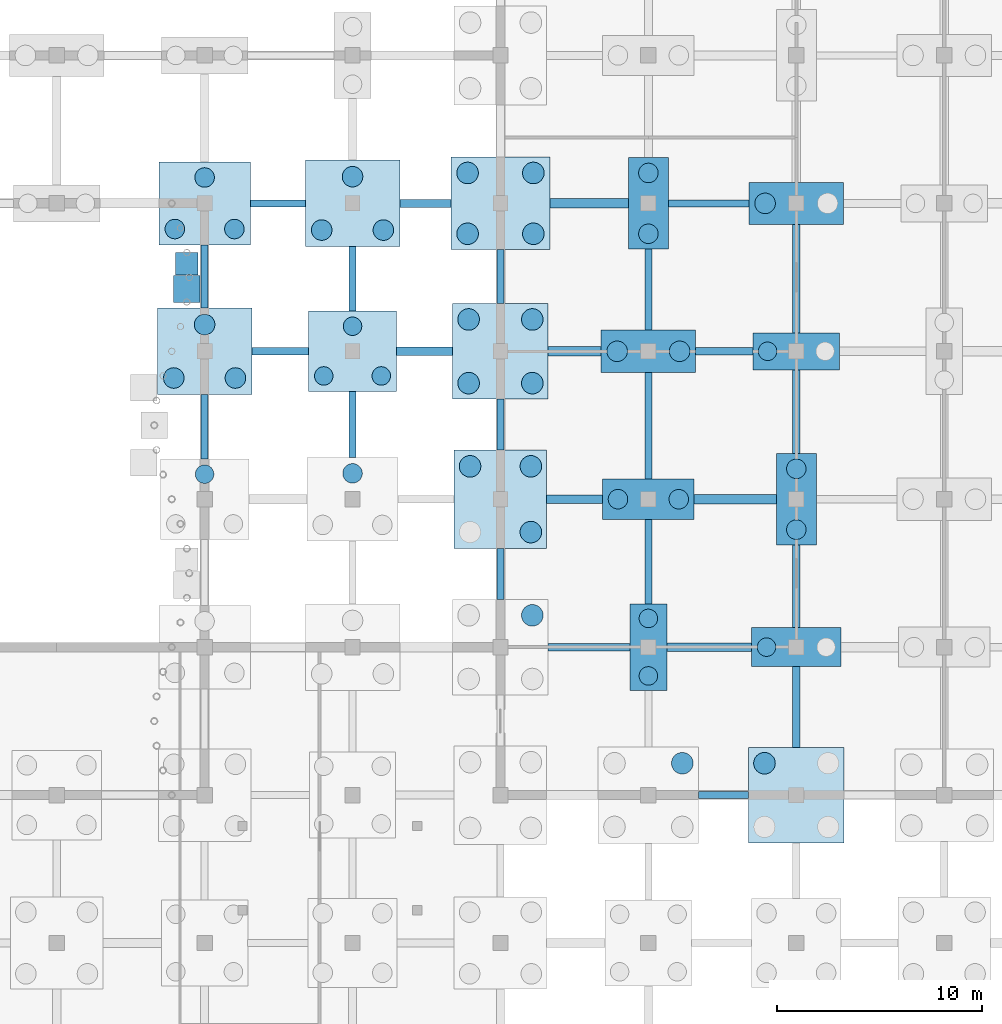
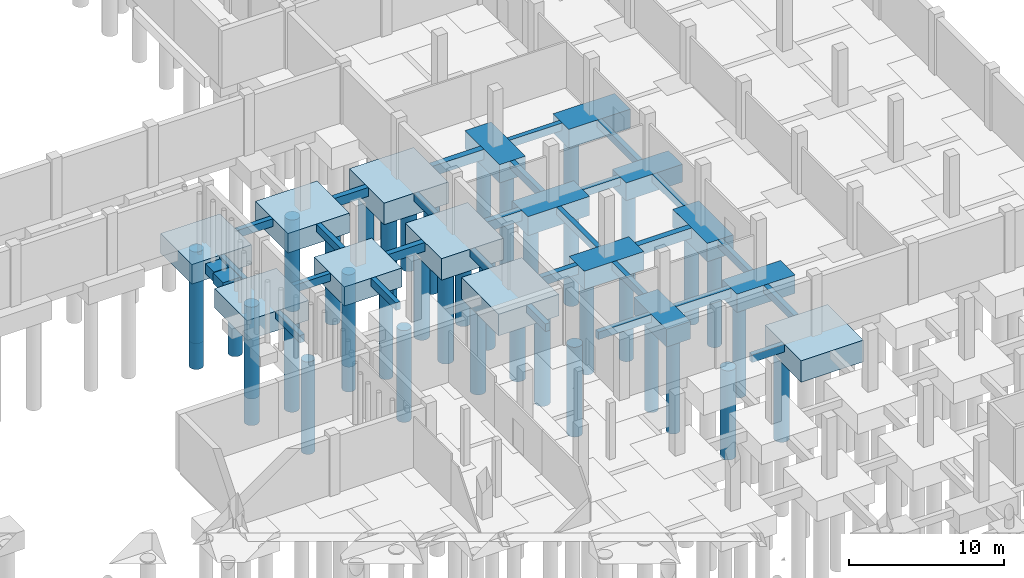
# One storey, part 8 of 35: 45 footings, 41 piles.
"""IFC4 building model written with IfcOpenShell, lengths in metres."""

from ifc_helpers import new_model, si_unit, direction, frame, origin, origin_2d, place, context, subcontext, project, spatial, rectangle, circle, extrude, material, material_profile, profile_set, type_object, element, save


model = new_model("IFC4")

# Units and contexts
model_context = context("Model", 3, precision=1e-05, world=origin(), true_north=direction((0.0, 1.0)))
body_context = subcontext(model_context, "Body", "Model", "MODEL_VIEW")
ifc_project = project(units=[si_unit("LENGTHUNIT", "METRE"), si_unit("AREAUNIT", "SQUARE_METRE"), si_unit("VOLUMEUNIT", "CUBIC_METRE"), si_unit("PLANEANGLEUNIT", "RADIAN"), si_unit("MASSUNIT", "GRAM", prefix="KILO"), si_unit("THERMODYNAMICTEMPERATUREUNIT", "KELVIN"), si_unit("POWERUNIT", "WATT")], contexts=[model_context])

# Site, building, storey
site_placement = place(None, origin())
site = spatial("IfcSite", under=ifc_project, at=site_placement, CompositionType="ELEMENT")
building_placement = place(site_placement, origin())
building = spatial("IfcBuilding", under=site, at=building_placement, Name="Kaldorven Railside Theatre", CompositionType="ELEMENT")
storey_placement = place(building_placement, frame((0.0, 0.0, -4.800048828125)))
storey = spatial("IfcBuildingStorey", under=building, at=storey_placement, Name="B1", CompositionType="ELEMENT", Elevation=-4.800048828125)

# Footings
ifc_material_1 = material(Name="Concrete C40/50", Category="concrete")
ifc_material_profile_1 = material_profile(ifc_material_1, rectangle(XDim=0.449951171875, YDim=0.800048828125, at=origin_2d()), Name="RC 450x800")
ifc_profile_set_1 = profile_set([ifc_material_profile_1], Name="Concrete C40/50")
footing_type_1 = type_object("IfcFootingType", Name="FTG-GB01", PredefinedType="FOOTING_BEAM", material=ifc_profile_set_1)
footing_1_placement = place(storey_placement, frame((96.625, 55.199951171875, -0.39990234375), z_axis=(1.0, 0.0, 0.0), x_axis=(0.0, 1.0, 0.0)))
element("IfcFooting", 1, at=footing_1_placement, inside=storey, type_object=footing_type_1, Name="Foundation Tie Beam GB-222", PredefinedType="FOOTING_BEAM", context=body_context, shape_type="SweptSolid", body=[
    extrude(rectangle(XDim=0.449951171875, YDim=0.800048828125, at=origin_2d()), origin(), (0.0, 0.0, 1.0), 4.0),
])
footing_2_placement = place(storey_placement, frame((89.52490234375, 62.39990234375, -0.39990234375), z_axis=(1.0, 0.0, 0.0), x_axis=(0.0, 1.0, 0.0)))
element("IfcFooting", 2, at=footing_2_placement, inside=storey, type_object=footing_type_1, Name="Foundation Tie Beam GB-246", PredefinedType="FOOTING_BEAM", context=body_context, shape_type="SweptSolid", body=[
    extrude(rectangle(XDim=0.449951171875, YDim=0.800048828125, at=origin_2d()), origin(), (0.0, 0.0, 1.0), 2.5751953125),
])
footing_3_placement = place(storey_placement, frame((89.60009765625, 69.60009765625, -0.39990234375), z_axis=(1.0, 0.0, 0.0), x_axis=(0.0, 1.0, 0.0)))
element("IfcFooting", 3, at=footing_3_placement, inside=storey, type_object=footing_type_1, Name="Foundation Tie Beam GB-279", PredefinedType="FOOTING_BEAM", context=body_context, shape_type="SweptSolid", body=[
    extrude(rectangle(XDim=0.449951171875, YDim=0.800048828125, at=origin_2d()), origin(), (0.0, 0.0, 1.0), 3.824951171875),
])
ifc_material_profile_2 = material_profile(ifc_material_1, rectangle(XDim=0.39990234375, YDim=0.699951171875, at=origin_2d()), Name="RC 400x700")
ifc_profile_set_2 = profile_set([ifc_material_profile_2], Name="Concrete C40/50")
footing_type_2 = type_object("IfcFootingType", Name="FTG-GB02", PredefinedType="FOOTING_BEAM", material=ifc_profile_set_2)
footing_4_placement = place(storey_placement, frame((95.300048828125, 48.0, -0.349853515625), z_axis=(1.0, 0.0, 0.0), x_axis=(0.0, 1.0, 0.0)))
element("IfcFooting", 4, at=footing_4_placement, inside=storey, type_object=footing_type_2, Name="Foundation Tie Beam GB-196", PredefinedType="FOOTING_BEAM", context=body_context, shape_type="SweptSolid", body=[
    extrude(rectangle(XDim=0.39990234375, YDim=0.699951171875, at=origin_2d()), origin(), (0.0, 0.0, 1.0), 4.125),
])
for number, where, z_axis, x_axis, name in (
    (5, (89.449951171875, 55.199951171875, -0.349853515625), (1.0, 0.0, 0.0), (0.0, 1.0, 0.0), "Foundation Tie Beam GB-220"),
    (6, (82.14990234375, 62.39990234375, -0.349853515625), (1.0, 0.0, 0.0), (0.0, 1.0, 0.0), "Foundation Tie Beam GB-244"),
):
    element("IfcFooting", number, at=place(storey_placement, frame(where, z_axis=z_axis, x_axis=x_axis)), inside=storey, type_object=footing_type_2, Name=name, PredefinedType="FOOTING_BEAM", context=body_context, shape_type="SweptSolid", body=[
        extrude(rectangle(XDim=0.39990234375, YDim=0.699951171875, at=origin_2d()), origin(), (0.0, 0.0, 1.0), 2.72509765625),
    ])
footing_5_placement = place(storey_placement, frame((82.300048828125, 69.60009765625, -0.349853515625), z_axis=(1.0, 0.0, 0.0), x_axis=(0.0, 1.0, 0.0)))
element("IfcFooting", 7, at=footing_5_placement, inside=storey, type_object=footing_type_2, Name="Foundation Tie Beam GB-277", PredefinedType="FOOTING_BEAM", context=body_context, shape_type="SweptSolid", body=[
    extrude(rectangle(XDim=0.39990234375, YDim=0.699951171875, at=origin_2d()), origin(), (0.0, 0.0, 1.0), 2.5),
])
ifc_material_profile_3 = material_profile(ifc_material_1, rectangle(XDim=0.35009765625, YDim=0.60009765625, at=origin_2d()), Name="RC 350x600")
ifc_profile_set_3 = profile_set([ifc_material_profile_3], Name="Concrete C40/50")
footing_type_3 = type_object("IfcFootingType", Name="FTG-GB03", PredefinedType="FOOTING_BEAM", material=ifc_profile_set_3)
footing_6_placement = place(storey_placement, frame((96.85009765625, 40.800048828125, -0.300048828125), z_axis=(1.0, 0.0, 0.0), x_axis=(0.0, 1.0, 0.0)))
element("IfcFooting", 8, at=footing_6_placement, inside=storey, type_object=footing_type_3, Name="Foundation Tie Beam GB-170", PredefinedType="FOOTING_BEAM", context=body_context, shape_type="SweptSolid", body=[
    extrude(rectangle(XDim=0.35009765625, YDim=0.60009765625, at=origin_2d()), origin(), (0.0, 0.0, 1.0), 2.4248046875),
])
footing_7_placement = place(storey_placement, frame((101.60009765625, 43.125, -0.300048828125), z_axis=(0.0, 1.0, 0.0), x_axis=(-1.0, 0.0, 0.0)))
element("IfcFooting", 9, at=footing_7_placement, inside=storey, type_object=footing_type_3, Name="Foundation Tie Beam GB-173", PredefinedType="FOOTING_BEAM", context=body_context, shape_type="SweptSolid", body=[
    extrude(rectangle(XDim=0.35009765625, YDim=0.60009765625, at=origin_2d()), origin(), (0.0, 0.0, 1.0), 3.925048828125),
])
footing_8_placement = place(storey_placement, frame((89.52490234375, 48.0, -0.300048828125), z_axis=(1.0, 0.0, 0.0), x_axis=(0.0, 1.0, 0.0)))
element("IfcFooting", 10, at=footing_8_placement, inside=storey, type_object=footing_type_3, Name="Foundation Tie Beam GB-194", PredefinedType="FOOTING_BEAM", context=body_context, shape_type="SweptSolid", body=[
    extrude(rectangle(XDim=0.35009765625, YDim=0.60009765625, at=origin_2d()), origin(), (0.0, 0.0, 1.0), 3.97509765625),
])
footing_9_placement = place(storey_placement, frame((87.199951171875, 50.324951171875, -0.300048828125), z_axis=(0.0, 1.0, 0.0), x_axis=(-1.0, 0.0, 0.0)))
element("IfcFooting", 11, at=footing_9_placement, inside=storey, type_object=footing_type_3, Name="Foundation Tie Beam GB-195", PredefinedType="FOOTING_BEAM", context=body_context, shape_type="SweptSolid", body=[
    extrude(rectangle(XDim=0.35009765625, YDim=0.60009765625, at=origin_2d()), origin(), (0.0, 0.0, 1.0), 2.47509765625),
])
footing_10_placement = place(storey_placement, frame((94.39990234375, 50.10009765625, -0.300048828125), z_axis=(0.0, 1.0, 0.0), x_axis=(-1.0, 0.0, 0.0)))
element("IfcFooting", 12, at=footing_10_placement, inside=storey, type_object=footing_type_3, Name="Foundation Tie Beam GB-197", PredefinedType="FOOTING_BEAM", context=body_context, shape_type="SweptSolid", body=[
    extrude(rectangle(XDim=0.35009765625, YDim=0.60009765625, at=origin_2d()), origin(), (0.0, 0.0, 1.0), 4.125),
])
footing_11_placement = place(storey_placement, frame((101.60009765625, 48.949951171875, -0.300048828125), z_axis=(0.0, 1.0, 0.0), x_axis=(-1.0, 0.0, 0.0)))
element("IfcFooting", 13, at=footing_11_placement, inside=storey, type_object=footing_type_3, Name="Foundation Tie Beam GB-199", PredefinedType="FOOTING_BEAM", context=body_context, shape_type="SweptSolid", body=[
    extrude(rectangle(XDim=0.35009765625, YDim=0.60009765625, at=origin_2d()), origin(), (0.0, 0.0, 1.0), 4.025146484375),
])
footing_12_placement = place(storey_placement, frame((72.800048828125, 57.14990234375, -0.300048828125), z_axis=(0.0, 1.0, 0.0), x_axis=(-1.0, 0.0, 0.0)))
element("IfcFooting", 14, at=footing_12_placement, inside=storey, type_object=footing_type_3, Name="Foundation Tie Beam GB-217", PredefinedType="FOOTING_BEAM", context=body_context, shape_type="SweptSolid", body=[
    extrude(rectangle(XDim=0.35009765625, YDim=0.60009765625, at=origin_2d()), origin(), (0.0, 0.0, 1.0), 3.150146484375),
])
footing_13_placement = place(storey_placement, frame((80.0, 57.22509765625, -0.300048828125), z_axis=(0.0, 1.0, 0.0), x_axis=(-1.0, 0.0, 0.0)))
element("IfcFooting", 15, at=footing_13_placement, inside=storey, type_object=footing_type_3, Name="Foundation Tie Beam GB-219", PredefinedType="FOOTING_BEAM", context=body_context, shape_type="SweptSolid", body=[
    extrude(rectangle(XDim=0.35009765625, YDim=0.60009765625, at=origin_2d()), origin(), (0.0, 0.0, 1.0), 3.224853515625),
])
footing_14_placement = place(storey_placement, frame((87.199951171875, 57.60009765625, -0.300048828125), z_axis=(0.0, 1.0, 0.0), x_axis=(-1.0, 0.0, 0.0)))
element("IfcFooting", 16, at=footing_14_placement, inside=storey, type_object=footing_type_3, Name="Foundation Tie Beam GB-221", PredefinedType="FOOTING_BEAM", context=body_context, shape_type="SweptSolid", body=[
    extrude(rectangle(XDim=0.35009765625, YDim=0.60009765625, at=origin_2d()), origin(), (0.0, 0.0, 1.0), 2.474853515625),
])
footing_15_placement = place(storey_placement, frame((94.39990234375, 56.175048828125, -0.300048828125), z_axis=(0.0, 1.0, 0.0), x_axis=(-1.0, 0.0, 0.0)))
element("IfcFooting", 17, at=footing_15_placement, inside=storey, type_object=footing_type_3, Name="Foundation Tie Beam GB-223", PredefinedType="FOOTING_BEAM", context=body_context, shape_type="SweptSolid", body=[
    extrude(rectangle(XDim=0.35009765625, YDim=0.60009765625, at=origin_2d()), origin(), (0.0, 0.0, 1.0), 5.199951171875),
])
footing_16_placement = place(storey_placement, frame((101.60009765625, 57.425048828125, -0.300048828125), z_axis=(0.0, 1.0, 0.0), x_axis=(-1.0, 0.0, 0.0)))
element("IfcFooting", 18, at=footing_16_placement, inside=storey, type_object=footing_type_3, Name="Foundation Tie Beam GB-225", PredefinedType="FOOTING_BEAM", context=body_context, shape_type="SweptSolid", body=[
    extrude(rectangle(XDim=0.35009765625, YDim=0.60009765625, at=origin_2d()), origin(), (0.0, 0.0, 1.0), 4.074951171875),
])
footing_17_placement = place(storey_placement, frame((75.10009765625, 62.39990234375, -0.300048828125), z_axis=(1.0, 0.0, 0.0), x_axis=(0.0, 1.0, 0.0)))
element("IfcFooting", 19, at=footing_17_placement, inside=storey, type_object=footing_type_3, Name="Foundation Tie Beam GB-242", PredefinedType="FOOTING_BEAM", context=body_context, shape_type="SweptSolid", body=[
    extrude(rectangle(XDim=0.35009765625, YDim=0.60009765625, at=origin_2d()), origin(), (0.0, 0.0, 1.0), 2.75),
])
footing_18_placement = place(storey_placement, frame((72.800048828125, 64.5, -0.300048828125), z_axis=(0.0, 1.0, 0.0), x_axis=(-1.0, 0.0, 0.0)))
element("IfcFooting", 20, at=footing_18_placement, inside=storey, type_object=footing_type_3, Name="Foundation Tie Beam GB-243", PredefinedType="FOOTING_BEAM", context=body_context, shape_type="SweptSolid", body=[
    extrude(rectangle(XDim=0.35009765625, YDim=0.60009765625, at=origin_2d()), origin(), (0.0, 0.0, 1.0), 3.074951171875),
])
footing_19_placement = place(storey_placement, frame((80.0, 64.35009765625, -0.300048828125), z_axis=(0.0, 1.0, 0.0), x_axis=(-1.0, 0.0, 0.0)))
element("IfcFooting", 21, at=footing_19_placement, inside=storey, type_object=footing_type_3, Name="Foundation Tie Beam GB-245", PredefinedType="FOOTING_BEAM", context=body_context, shape_type="SweptSolid", body=[
    extrude(rectangle(XDim=0.35009765625, YDim=0.60009765625, at=origin_2d()), origin(), (0.0, 0.0, 1.0), 3.14990234375),
])
footing_20_placement = place(storey_placement, frame((87.199951171875, 64.72509765625, -0.300048828125), z_axis=(0.0, 1.0, 0.0), x_axis=(-1.0, 0.0, 0.0)))
element("IfcFooting", 22, at=footing_20_placement, inside=storey, type_object=footing_type_3, Name="Foundation Tie Beam GB-247", PredefinedType="FOOTING_BEAM", context=body_context, shape_type="SweptSolid", body=[
    extrude(rectangle(XDim=0.35009765625, YDim=0.60009765625, at=origin_2d()), origin(), (0.0, 0.0, 1.0), 2.625),
])
footing_21_placement = place(storey_placement, frame((96.699951171875, 62.39990234375, -0.300048828125), z_axis=(1.0, 0.0, 0.0), x_axis=(0.0, 1.0, 0.0)))
element("IfcFooting", 23, at=footing_21_placement, inside=storey, type_object=footing_type_3, Name="Foundation Tie Beam GB-248", PredefinedType="FOOTING_BEAM", context=body_context, shape_type="SweptSolid", body=[
    extrude(rectangle(XDim=0.35009765625, YDim=0.60009765625, at=origin_2d()), origin(), (0.0, 0.0, 1.0), 2.800048828125),
])
footing_22_placement = place(storey_placement, frame((94.39990234375, 63.425048828125, -0.300048828125), z_axis=(0.0, 1.0, 0.0), x_axis=(-1.0, 0.0, 0.0)))
element("IfcFooting", 24, at=footing_22_placement, inside=storey, type_object=footing_type_3, Name="Foundation Tie Beam GB-249", PredefinedType="FOOTING_BEAM", context=body_context, shape_type="SweptSolid", body=[
    extrude(rectangle(XDim=0.35009765625, YDim=0.60009765625, at=origin_2d()), origin(), (0.0, 0.0, 1.0), 3.949951171875),
])
footing_23_placement = place(storey_placement, frame((101.60009765625, 63.300048828125, -0.300048828125), z_axis=(0.0, 1.0, 0.0), x_axis=(-1.0, 0.0, 0.0)))
element("IfcFooting", 25, at=footing_23_placement, inside=storey, type_object=footing_type_3, Name="Foundation Tie Beam GB-251", PredefinedType="FOOTING_BEAM", context=body_context, shape_type="SweptSolid", body=[
    extrude(rectangle(XDim=0.35009765625, YDim=0.60009765625, at=origin_2d()), origin(), (0.0, 0.0, 1.0), 5.27490234375),
])
footing_24_placement = place(storey_placement, frame((75.02490234375, 69.60009765625, -0.300048828125), z_axis=(1.0, 0.0, 0.0), x_axis=(0.0, 1.0, 0.0)))
element("IfcFooting", 26, at=footing_24_placement, inside=storey, type_object=footing_type_3, Name="Foundation Tie Beam GB-275", PredefinedType="FOOTING_BEAM", context=body_context, shape_type="SweptSolid", body=[
    extrude(rectangle(XDim=0.35009765625, YDim=0.60009765625, at=origin_2d()), origin(), (0.0, 0.0, 1.0), 2.675048828125),
])
footing_25_placement = place(storey_placement, frame((95.375, 69.60009765625, -0.300048828125), z_axis=(1.0, 0.0, 0.0), x_axis=(0.0, 1.0, 0.0)))
element("IfcFooting", 27, at=footing_25_placement, inside=storey, type_object=footing_type_3, Name="Foundation Tie Beam GB-281", PredefinedType="FOOTING_BEAM", context=body_context, shape_type="SweptSolid", body=[
    extrude(rectangle(XDim=0.35009765625, YDim=0.60009765625, at=origin_2d()), origin(), (0.0, 0.0, 1.0), 3.925048828125),
])
footing_type_4 = type_object("IfcFootingType", Name="FTG-PC03", PredefinedType="PILE_CAP", material=ifc_material_1)
footing_26_placement = place(storey_placement, frame((101.60009765625, 62.39990234375, -1.39990234375), z_axis=(0.0, 0.0, 1.0), x_axis=(1.0, 0.0, 0.0)))
element("IfcFooting", 28, at=footing_26_placement, inside=storey, type_object=footing_type_4, Name="Reinforced Concrete Pile Cap FC-138", PredefinedType="PILE_CAP", context=body_context, shape_type="SweptSolid", body=[
    extrude(rectangle(XDim=4.199951171875, YDim=1.800048828125, at=origin_2d()), origin(), (0.0, 0.0, 1.0), 1.39990234375),
])
footing_type_5 = type_object("IfcFootingType", Name="FTG-PC04", PredefinedType="PILE_CAP", material=ifc_material_1)
footing_27_placement = place(storey_placement, frame((94.39990234375, 48.0, -1.39990234375), z_axis=(0.0, 0.0, 1.0), x_axis=(1.0, 0.0, 0.0)))
element("IfcFooting", 29, at=footing_27_placement, inside=storey, type_object=footing_type_5, Name="Reinforced Concrete Pile Cap FC-109", PredefinedType="PILE_CAP", context=body_context, shape_type="SweptSolid", body=[
    extrude(rectangle(XDim=1.800048828125, YDim=4.199951171875, at=origin_2d()), origin(), (0.0, 0.0, 1.0), 1.39990234375),
])
footing_type_6 = type_object("IfcFootingType", Name="FTG-PC05", PredefinedType="PILE_CAP", material=ifc_material_1)
footing_28_placement = place(storey_placement, frame((101.60009765625, 48.0, -1.44970703125), z_axis=(0.0, 0.0, 1.0), x_axis=(1.0, 0.0, 0.0)))
element("IfcFooting", 30, at=footing_28_placement, inside=storey, type_object=footing_type_6, Name="Reinforced Concrete Pile Cap FC-110", PredefinedType="PILE_CAP", context=body_context, shape_type="SweptSolid", body=[
    extrude(rectangle(XDim=4.35009765625, YDim=1.89990234375, at=origin_2d()), origin(), (0.0, 0.0, 1.0), 1.449951171875),
])
footing_type_7 = type_object("IfcFootingType", Name="FTG-PC06", PredefinedType="PILE_CAP", material=ifc_material_1)
footing_29_placement = place(storey_placement, frame((94.39990234375, 55.199951171875, -1.44970703125), z_axis=(0.0, 0.0, 1.0), x_axis=(1.0, 0.0, 0.0)))
element("IfcFooting", 31, at=footing_29_placement, inside=storey, type_object=footing_type_7, Name="Reinforced Concrete Pile Cap FC-123", PredefinedType="PILE_CAP", context=body_context, shape_type="SweptSolid", body=[
    extrude(rectangle(XDim=4.449951171875, YDim=1.949951171875, at=origin_2d()), origin(), (0.0, 0.0, 1.0), 1.449951171875),
])
footing_type_8 = type_object("IfcFootingType", Name="FTG-PC07", PredefinedType="PILE_CAP", material=ifc_material_1)
for number, where, z_axis, x_axis, name in (
    (32, (101.60009765625, 55.199951171875, -1.44970703125), (0.0, 0.0, 1.0), (1.0, 0.0, 0.0), "Reinforced Concrete Pile Cap FC-124"),
    (33, (94.39990234375, 69.60009765625, -1.44970703125), (0.0, 0.0, 1.0), (1.0, 0.0, 0.0), "Reinforced Concrete Pile Cap FC-154"),
):
    element("IfcFooting", number, at=place(storey_placement, frame(where, z_axis=z_axis, x_axis=x_axis)), inside=storey, type_object=footing_type_8, Name=name, PredefinedType="PILE_CAP", context=body_context, shape_type="SweptSolid", body=[
        extrude(rectangle(XDim=1.949951171875, YDim=4.449951171875, at=origin_2d()), origin(), (0.0, 0.0, 1.0), 1.449951171875),
    ])
footing_type_9 = type_object("IfcFootingType", Name="FTG-PC08", PredefinedType="PILE_CAP", material=ifc_material_1)
for number, where, z_axis, x_axis, name in (
    (34, (94.39990234375, 62.39990234375, -1.5), (0.0, 0.0, 1.0), (1.0, 0.0, 0.0), "Reinforced Concrete Pile Cap FC-137"),
    (35, (101.60009765625, 69.60009765625, -1.5), (0.0, 0.0, 1.0), (1.0, 0.0, 0.0), "Reinforced Concrete Pile Cap FC-155"),
):
    element("IfcFooting", number, at=place(storey_placement, frame(where, z_axis=z_axis, x_axis=x_axis)), inside=storey, type_object=footing_type_9, Name=name, PredefinedType="PILE_CAP", context=body_context, shape_type="SweptSolid", body=[
        extrude(rectangle(XDim=4.60009765625, YDim=2.050048828125, at=origin_2d()), origin(), (0.0, 0.0, 1.0), 1.5),
    ])
footing_type_10 = type_object("IfcFootingType", Name="FTG-PC09", PredefinedType="PILE_CAP", material=ifc_material_1)
footing_30_placement = place(storey_placement, frame((80.0, 62.39990234375, -1.5), z_axis=(0.0, 0.0, 1.0), x_axis=(1.0, 0.0, 0.0)))
element("IfcFooting", 36, at=footing_30_placement, inside=storey, type_object=footing_type_10, Name="Reinforced Concrete Pile Cap FC-135", PredefinedType="PILE_CAP", context=body_context, shape_type="SweptSolid", body=[
    extrude(rectangle(XDim=4.300048828125, YDim=3.89990234375, at=origin_2d()), origin(), (0.0, 0.0, 1.0), 1.5),
])
footing_type_11 = type_object("IfcFootingType", Name="FTG-PC10", PredefinedType="PILE_CAP", material=ifc_material_1)
footing_31_placement = place(storey_placement, frame((72.800048828125, 69.60009765625, -1.5498046875), z_axis=(0.0, 0.0, 1.0), x_axis=(1.0, 0.0, 0.0)))
element("IfcFooting", 37, at=footing_31_placement, inside=storey, type_object=footing_type_11, Name="Reinforced Concrete Pile Cap FC-151", PredefinedType="PILE_CAP", context=body_context, shape_type="SweptSolid", body=[
    extrude(rectangle(XDim=4.449951171875, YDim=4.050048828125, at=origin_2d()), origin(), (0.0, 0.0, 1.0), 1.550048828125),
])
footing_type_12 = type_object("IfcFootingType", Name="FTG-PC11", PredefinedType="PILE_CAP", material=ifc_material_1)
for number, where, z_axis, x_axis, name in (
    (38, (72.800048828125, 62.39990234375, -1.5498046875), (0.0, 0.0, 1.0), (1.0, 0.0, 0.0), "Reinforced Concrete Pile Cap FC-134"),
    (39, (80.0, 69.60009765625, -1.5498046875), (0.0, 0.0, 1.0), (1.0, 0.0, 0.0), "Reinforced Concrete Pile Cap FC-152"),
):
    element("IfcFooting", number, at=place(storey_placement, frame(where, z_axis=z_axis, x_axis=x_axis)), inside=storey, type_object=footing_type_12, Name=name, PredefinedType="PILE_CAP", context=body_context, shape_type="SweptSolid", body=[
        extrude(rectangle(XDim=4.60009765625, YDim=4.199951171875, at=origin_2d()), origin(), (0.0, 0.0, 1.0), 1.550048828125),
    ])
footing_type_13 = type_object("IfcFootingType", Name="FTG-PC15", PredefinedType="PILE_CAP", material=ifc_material_1)
for number, where, z_axis, x_axis, name in (
    (40, (101.60009765625, 40.800048828125, -1.69970703125), (0.0, 0.0, 1.0), (1.0, 0.0, 0.0), "Reinforced Concrete Pile Cap FC-096"),
    (41, (87.199951171875, 62.39990234375, -1.69970703125), (0.0, 0.0, 1.0), (1.0, 0.0, 0.0), "Reinforced Concrete Pile Cap FC-136"),
):
    element("IfcFooting", number, at=place(storey_placement, frame(where, z_axis=z_axis, x_axis=x_axis)), inside=storey, type_object=footing_type_13, Name=name, PredefinedType="PILE_CAP", context=body_context, shape_type="SweptSolid", body=[
        extrude(rectangle(XDim=4.64990234375, YDim=4.64990234375, at=origin_2d()), origin(), (0.0, 0.0, 1.0), 1.699951171875),
    ])
footing_type_14 = type_object("IfcFootingType", Name="FTG-PC16", PredefinedType="PILE_CAP", material=ifc_material_1)
footing_32_placement = place(storey_placement, frame((87.199951171875, 69.60009765625, -1.69970703125), z_axis=(0.0, 0.0, 1.0), x_axis=(1.0, 0.0, 0.0)))
element("IfcFooting", 42, at=footing_32_placement, inside=storey, type_object=footing_type_14, Name="Reinforced Concrete Pile Cap FC-153", PredefinedType="PILE_CAP", context=body_context, shape_type="SweptSolid", body=[
    extrude(rectangle(XDim=4.800048828125, YDim=4.5, at=origin_2d()), origin(), (0.0, 0.0, 1.0), 1.699951171875),
])
footing_type_15 = type_object("IfcFootingType", Name="FTG-PC17", PredefinedType="PILE_CAP", material=ifc_material_1)
footing_33_placement = place(storey_placement, frame((87.199951171875, 55.199951171875, -1.69970703125), z_axis=(0.0, 0.0, 1.0), x_axis=(1.0, 0.0, 0.0)))
element("IfcFooting", 43, at=footing_33_placement, inside=storey, type_object=footing_type_15, Name="Reinforced Concrete Pile Cap FC-122", PredefinedType="PILE_CAP", context=body_context, shape_type="SweptSolid", body=[
    extrude(rectangle(XDim=4.5, YDim=4.800048828125, at=origin_2d()), origin(), (0.0, 0.0, 1.0), 1.699951171875),
])
footing_type_16 = type_object("IfcFootingType", Name="FTG-SF01", PredefinedType="PAD_FOOTING", material=ifc_material_1)
footing_34_placement = place(storey_placement, frame((71.93603515625, 65.429931640625, -0.7998046875), z_axis=(0.0, 0.0, 1.0), x_axis=(1.0, 0.0, 0.0)))
element("IfcFooting", 44, at=footing_34_placement, inside=storey, type_object=footing_type_16, Name="Court Flute Stanchion Pad SF-021", PredefinedType="PAD_FOOTING", context=body_context, shape_type="SweptSolid", body=[
    extrude(rectangle(XDim=1.300048828125, YDim=1.300048828125, at=origin_2d()), origin(), (0.0, 0.0, 1.0), 0.800048828125),
])
footing_35_placement = place(storey_placement, frame((71.93603515625, 66.669921875, -0.7998046875), z_axis=(0.0, 0.0, 1.0), x_axis=(1.0, 0.0, 0.0)))
element("IfcFooting", 45, at=footing_35_placement, inside=storey, type_object=footing_type_16, Name="Court Flute Stanchion Pad SF-022", PredefinedType="PAD_FOOTING", context=body_context, shape_type="SweptSolid", body=[
    extrude(rectangle(XDim=1.10009765625, YDim=1.10009765625, at=origin_2d()), origin(), (0.0, 0.0, 1.0), 0.800048828125),
])

# Piles
ifc_material_2 = material(Name="Concrete C35/45", Category="concrete")
ifc_material_profile_4 = material_profile(ifc_material_2, circle(Radius=0.5, at=origin_2d()), Name="BP D1000")
ifc_profile_set_4 = profile_set([ifc_material_profile_4], Name="Concrete C35/45")
pile_type_1 = type_object("IfcPileType", Name="PIL-D1000", PredefinedType="BORED", material=ifc_profile_set_4)
for number, where, z_axis, x_axis, name in (
    (46, (71.300048828125, 61.10009765625, -1.449951171875), (0.0, 0.0, -1.0), (1.0, 0.0, 0.0), "Bored Bedrock Socket Pile BP-072-062-1"),
    (47, (74.300048828125, 61.10009765625, -1.449951171875), (0.0, 0.0, -1.0), (1.0, 0.0, 0.0), "Bored Bedrock Socket Pile BP-072-062-2"),
    (48, (72.800048828125, 63.699951171875, -1.449951171875), (0.0, 0.0, -1.0), (1.0, 0.0, 0.0), "Bored Bedrock Socket Pile BP-072-062-3"),
):
    element("IfcPile", number, at=place(storey_placement, frame(where, z_axis=z_axis, x_axis=x_axis)), inside=storey, type_object=pile_type_1, Name=name, PredefinedType="BORED", context=body_context, shape_type="SweptSolid", body=[
        extrude(circle(Radius=0.5, at=origin_2d()), origin(), (0.0, 0.0, 1.0), 7.25),
    ])
for number, where, z_axis, x_axis, name in (
    (49, (92.8798828125, 62.39990234375, -1.39990234375), (0.0, 0.0, -1.0), (1.0, 0.0, 0.0), "Bored Bedrock Socket Pile BP-094-062-1"),
    (50, (95.919921875, 62.39990234375, -1.39990234375), (0.0, 0.0, -1.0), (1.0, 0.0, 0.0), "Bored Bedrock Socket Pile BP-094-062-2"),
):
    element("IfcPile", number, at=place(storey_placement, frame(where, z_axis=z_axis, x_axis=x_axis)), inside=storey, type_object=pile_type_1, Name=name, PredefinedType="BORED", context=body_context, shape_type="SweptSolid", body=[
        extrude(circle(Radius=0.5, at=origin_2d()), origin(), (0.0, 0.0, 1.0), 7.300048828125),
    ])
for number, where, z_axis, x_axis, name in (
    (51, (78.5, 68.300048828125, -1.449951171875), (0.0, 0.0, -1.0), (1.0, 0.0, 0.0), "Bored Bedrock Socket Pile BP-080-069-1"),
    (52, (81.5, 68.300048828125, -1.449951171875), (0.0, 0.0, -1.0), (1.0, 0.0, 0.0), "Bored Bedrock Socket Pile BP-080-069-2"),
    (53, (80.0, 70.89990234375, -1.449951171875), (0.0, 0.0, -1.0), (1.0, 0.0, 0.0), "Bored Bedrock Socket Pile BP-080-069-3"),
):
    element("IfcPile", number, at=place(storey_placement, frame(where, z_axis=z_axis, x_axis=x_axis)), inside=storey, type_object=pile_type_1, Name=name, PredefinedType="BORED", context=body_context, shape_type="SweptSolid", body=[
        extrude(circle(Radius=0.5, at=origin_2d()), origin(), (0.0, 0.0, 1.0), 7.25),
    ])
pile_1_placement = place(storey_placement, frame((100.080078125, 69.60009765625, -1.39990234375), z_axis=(0.0, 0.0, -1.0), x_axis=(1.0, 0.0, 0.0)))
element("IfcPile", 54, at=pile_1_placement, inside=storey, type_object=pile_type_1, Name="Bored Bedrock Socket Pile BP-101-069-1", PredefinedType="BORED", context=body_context, shape_type="SweptSolid", body=[
    extrude(circle(Radius=0.5, at=origin_2d()), origin(), (0.0, 0.0, 1.0), 7.300048828125),
])
ifc_material_profile_5 = material_profile(ifc_material_2, circle(Radius=0.52490234375, at=origin_2d()), Name="BP D1050")
ifc_profile_set_5 = profile_set([ifc_material_profile_5], Name="Concrete C35/45")
pile_type_2 = type_object("IfcPileType", Name="PIL-D1050", PredefinedType="BORED", material=ifc_profile_set_5)
pile_2_placement = place(storey_placement, frame((96.050048828125, 42.35009765625, -1.64990234375), z_axis=(0.0, 0.0, -1.0), x_axis=(1.0, 0.0, 0.0)))
element("IfcPile", 55, at=pile_2_placement, inside=storey, type_object=pile_type_2, Name="Bored Bedrock Socket Pile BP-094-040-4", PredefinedType="BORED", context=body_context, shape_type="SweptSolid", body=[
    extrude(circle(Radius=0.52490234375, at=origin_2d()), origin(), (0.0, 0.0, 1.0), 7.050048828125),
])
for number, where, z_axis, x_axis, name in (
    (56, (100.050048828125, 42.35009765625, -1.599853515625), (0.0, 0.0, -1.0), (1.0, 0.0, 0.0), "Bored Bedrock Socket Pile BP-101-040-3"),
    (57, (88.75, 49.550048828125, -1.599853515625), (0.0, 0.0, -1.0), (1.0, 0.0, 0.0), "Bored Bedrock Socket Pile BP-087-048-4"),
    (58, (88.679931640625, 53.60009765625, -1.599853515625), (0.0, 0.0, -1.0), (1.0, 0.0, 0.0), "Bored Bedrock Socket Pile BP-087-055-2"),
    (59, (85.719970703125, 56.800048828125, -1.599853515625), (0.0, 0.0, -1.0), (1.0, 0.0, 0.0), "Bored Bedrock Socket Pile BP-087-055-3"),
    (60, (88.679931640625, 56.800048828125, -1.599853515625), (0.0, 0.0, -1.0), (1.0, 0.0, 0.0), "Bored Bedrock Socket Pile BP-087-055-4"),
    (61, (85.64990234375, 60.85009765625, -1.599853515625), (0.0, 0.0, -1.0), (1.0, 0.0, 0.0), "Bored Bedrock Socket Pile BP-087-062-1"),
    (62, (88.75, 60.85009765625, -1.599853515625), (0.0, 0.0, -1.0), (1.0, 0.0, 0.0), "Bored Bedrock Socket Pile BP-087-062-2"),
    (63, (85.64990234375, 63.949951171875, -1.599853515625), (0.0, 0.0, -1.0), (1.0, 0.0, 0.0), "Bored Bedrock Socket Pile BP-087-062-3"),
    (64, (88.75, 63.949951171875, -1.599853515625), (0.0, 0.0, -1.0), (1.0, 0.0, 0.0), "Bored Bedrock Socket Pile BP-087-062-4"),
    (65, (85.60009765625, 68.1201171875, -1.599853515625), (0.0, 0.0, -1.0), (1.0, 0.0, 0.0), "Bored Bedrock Socket Pile BP-087-069-1"),
    (66, (88.800048828125, 68.1201171875, -1.599853515625), (0.0, 0.0, -1.0), (1.0, 0.0, 0.0), "Bored Bedrock Socket Pile BP-087-069-2"),
    (67, (85.60009765625, 71.080078125, -1.599853515625), (0.0, 0.0, -1.0), (1.0, 0.0, 0.0), "Bored Bedrock Socket Pile BP-087-069-3"),
    (68, (88.800048828125, 71.080078125, -1.599853515625), (0.0, 0.0, -1.0), (1.0, 0.0, 0.0), "Bored Bedrock Socket Pile BP-087-069-4"),
):
    element("IfcPile", number, at=place(storey_placement, frame(where, z_axis=z_axis, x_axis=x_axis)), inside=storey, type_object=pile_type_2, Name=name, PredefinedType="BORED", context=body_context, shape_type="SweptSolid", body=[
        extrude(circle(Radius=0.52490234375, at=origin_2d()), origin(), (0.0, 0.0, 1.0), 7.10009765625),
    ])
ifc_material_profile_6 = material_profile(ifc_material_2, circle(Radius=0.449951171875, at=origin_2d()), Name="BP D900")
ifc_profile_set_6 = profile_set([ifc_material_profile_6], Name="Concrete C35/45")
pile_type_3 = type_object("IfcPileType", Name="PIL-D900", PredefinedType="BORED", material=ifc_profile_set_6)
for number, where, z_axis, x_axis, name in (
    (69, (94.39990234375, 46.60009765625, -1.300048828125), (0.0, 0.0, -1.0), (1.0, 0.0, 0.0), "Bored Bedrock Socket Pile BP-094-048-1"),
    (70, (94.39990234375, 49.39990234375, -1.300048828125), (0.0, 0.0, -1.0), (1.0, 0.0, 0.0), "Bored Bedrock Socket Pile BP-094-048-2"),
):
    element("IfcPile", number, at=place(storey_placement, frame(where, z_axis=z_axis, x_axis=x_axis)), inside=storey, type_object=pile_type_3, Name=name, PredefinedType="BORED", context=body_context, shape_type="SweptSolid", body=[
        extrude(circle(Radius=0.449951171875, at=origin_2d()), origin(), (0.0, 0.0, 1.0), 7.39990234375),
    ])
pile_3_placement = place(storey_placement, frame((100.14990234375, 48.0, -1.349853515625), z_axis=(0.0, 0.0, -1.0), x_axis=(1.0, 0.0, 0.0)))
element("IfcPile", 71, at=pile_3_placement, inside=storey, type_object=pile_type_3, Name="Bored Bedrock Socket Pile BP-101-048-1", PredefinedType="BORED", context=body_context, shape_type="SweptSolid", body=[
    extrude(circle(Radius=0.449951171875, at=origin_2d()), origin(), (0.0, 0.0, 1.0), 7.35009765625),
])
for number, where, z_axis, x_axis, name in (
    (72, (72.800048828125, 56.419921875, -1.39990234375), (0.0, 0.0, -1.0), (1.0, 0.0, 0.0), "Bored Bedrock Socket Pile BP-072-055-3"),
    (73, (78.60009765625, 61.199951171875, -1.39990234375), (0.0, 0.0, -1.0), (1.0, 0.0, 0.0), "Bored Bedrock Socket Pile BP-080-062-1"),
    (74, (81.39990234375, 61.199951171875, -1.39990234375), (0.0, 0.0, -1.0), (1.0, 0.0, 0.0), "Bored Bedrock Socket Pile BP-080-062-2"),
    (75, (80.0, 63.6201171875, -1.39990234375), (0.0, 0.0, -1.0), (1.0, 0.0, 0.0), "Bored Bedrock Socket Pile BP-080-062-3"),
):
    element("IfcPile", number, at=place(storey_placement, frame(where, z_axis=z_axis, x_axis=x_axis)), inside=storey, type_object=pile_type_3, Name=name, PredefinedType="BORED", context=body_context, shape_type="SweptSolid", body=[
        extrude(circle(Radius=0.449951171875, at=origin_2d()), origin(), (0.0, 0.0, 1.0), 7.300048828125),
    ])
pile_4_placement = place(storey_placement, frame((100.199951171875, 62.39990234375, -1.300048828125), z_axis=(0.0, 0.0, -1.0), x_axis=(1.0, 0.0, 0.0)))
element("IfcPile", 76, at=pile_4_placement, inside=storey, type_object=pile_type_3, Name="Bored Bedrock Socket Pile BP-101-062-1", PredefinedType="BORED", context=body_context, shape_type="SweptSolid", body=[
    extrude(circle(Radius=0.449951171875, at=origin_2d()), origin(), (0.0, 0.0, 1.0), 7.39990234375),
])
ifc_material_profile_7 = material_profile(ifc_material_2, circle(Radius=0.47509765625, at=origin_2d()), Name="BP D950")
ifc_profile_set_7 = profile_set([ifc_material_profile_7], Name="Concrete C35/45")
pile_type_4 = type_object("IfcPileType", Name="PIL-D950", PredefinedType="BORED", material=ifc_profile_set_7)
pile_5_placement = place(storey_placement, frame((80.0, 56.4599609375, -1.449951171875), z_axis=(0.0, 0.0, -1.0), x_axis=(1.0, 0.0, 0.0)))
element("IfcPile", 77, at=pile_5_placement, inside=storey, type_object=pile_type_4, Name="Bored Bedrock Socket Pile BP-080-055-3", PredefinedType="BORED", context=body_context, shape_type="SweptSolid", body=[
    extrude(circle(Radius=0.47509765625, at=origin_2d()), origin(), (0.0, 0.0, 1.0), 7.25),
])
for number, where, z_axis, x_axis, name in (
    (78, (92.919921875, 55.199951171875, -1.349853515625), (0.0, 0.0, -1.0), (1.0, 0.0, 0.0), "Bored Bedrock Socket Pile BP-094-055-1"),
    (79, (95.8798828125, 55.199951171875, -1.349853515625), (0.0, 0.0, -1.0), (1.0, 0.0, 0.0), "Bored Bedrock Socket Pile BP-094-055-2"),
    (80, (101.60009765625, 53.719970703125, -1.349853515625), (0.0, 0.0, -1.0), (1.0, 0.0, 0.0), "Bored Bedrock Socket Pile BP-101-055-1"),
    (81, (101.60009765625, 56.679931640625, -1.349853515625), (0.0, 0.0, -1.0), (1.0, 0.0, 0.0), "Bored Bedrock Socket Pile BP-101-055-2"),
):
    element("IfcPile", number, at=place(storey_placement, frame(where, z_axis=z_axis, x_axis=x_axis)), inside=storey, type_object=pile_type_4, Name=name, PredefinedType="BORED", context=body_context, shape_type="SweptSolid", body=[
        extrude(circle(Radius=0.47509765625, at=origin_2d()), origin(), (0.0, 0.0, 1.0), 7.35009765625),
    ])
for number, where, z_axis, x_axis, name in (
    (82, (71.35009765625, 68.35009765625, -1.449951171875), (0.0, 0.0, -1.0), (1.0, 0.0, 0.0), "Bored Bedrock Socket Pile BP-072-069-1"),
    (83, (74.25, 68.35009765625, -1.449951171875), (0.0, 0.0, -1.0), (1.0, 0.0, 0.0), "Bored Bedrock Socket Pile BP-072-069-2"),
    (84, (72.800048828125, 70.860107421875, -1.449951171875), (0.0, 0.0, -1.0), (1.0, 0.0, 0.0), "Bored Bedrock Socket Pile BP-072-069-3"),
):
    element("IfcPile", number, at=place(storey_placement, frame(where, z_axis=z_axis, x_axis=x_axis)), inside=storey, type_object=pile_type_4, Name=name, PredefinedType="BORED", context=body_context, shape_type="SweptSolid", body=[
        extrude(circle(Radius=0.47509765625, at=origin_2d()), origin(), (0.0, 0.0, 1.0), 7.25),
    ])
for number, where, z_axis, x_axis, name in (
    (85, (94.39990234375, 68.1201171875, -1.349853515625), (0.0, 0.0, -1.0), (1.0, 0.0, 0.0), "Bored Bedrock Socket Pile BP-094-069-1"),
    (86, (94.39990234375, 71.080078125, -1.349853515625), (0.0, 0.0, -1.0), (1.0, 0.0, 0.0), "Bored Bedrock Socket Pile BP-094-069-2"),
):
    element("IfcPile", number, at=place(storey_placement, frame(where, z_axis=z_axis, x_axis=x_axis)), inside=storey, type_object=pile_type_4, Name=name, PredefinedType="BORED", context=body_context, shape_type="SweptSolid", body=[
        extrude(circle(Radius=0.47509765625, at=origin_2d()), origin(), (0.0, 0.0, 1.0), 7.35009765625),
    ])

save(model, "model.ifc")
